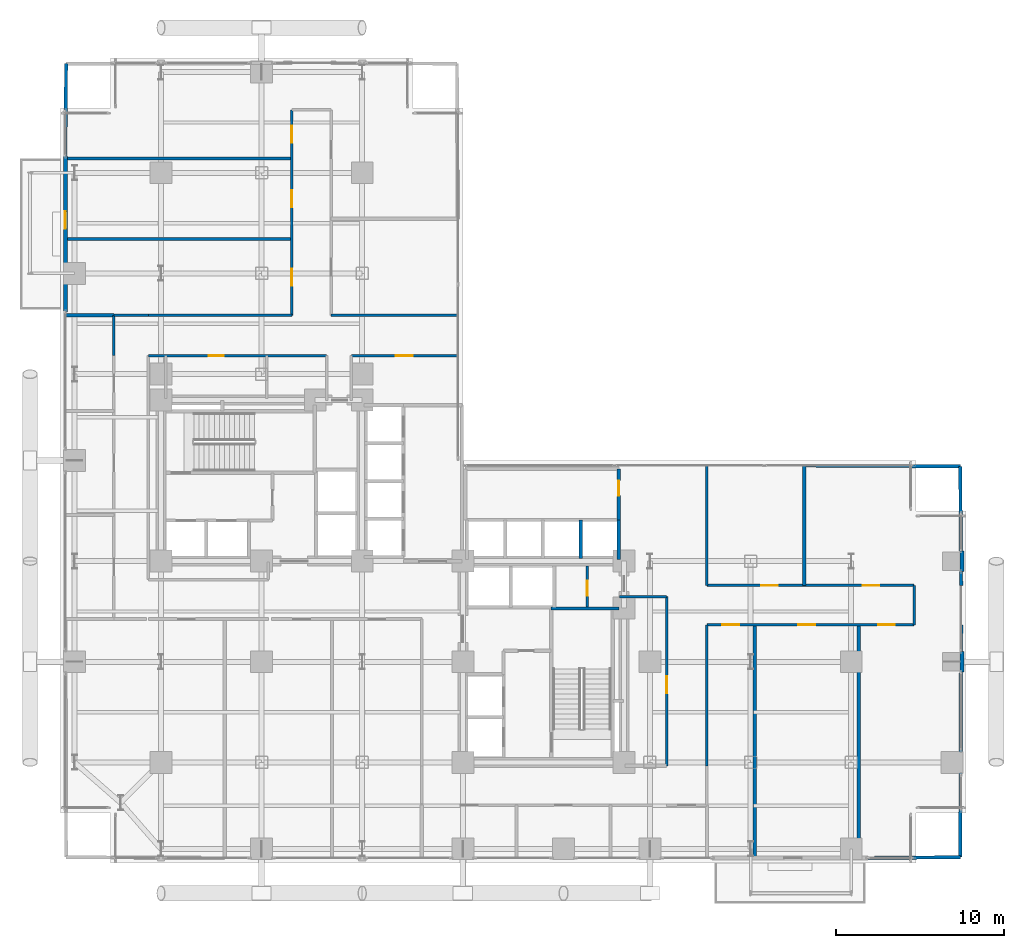
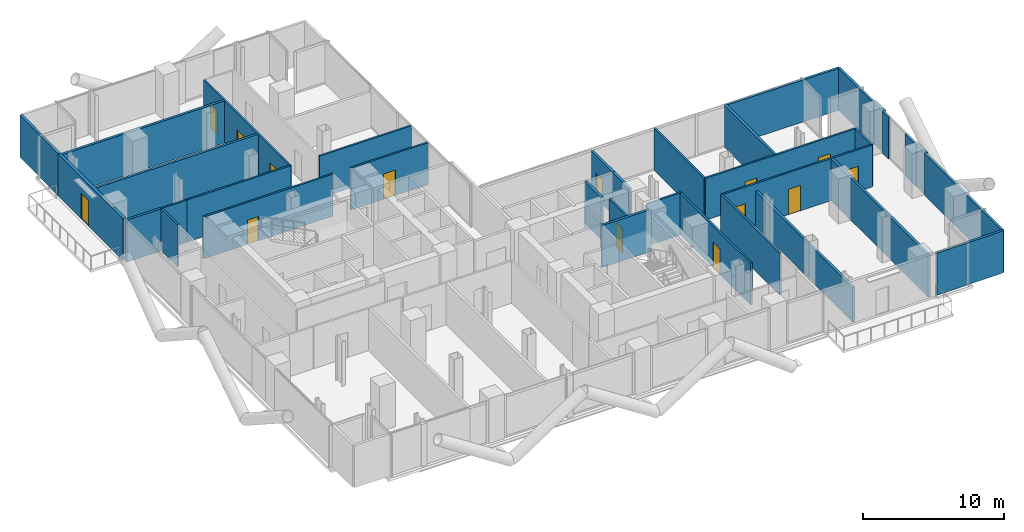
# One storey, part 23 of 27: 35 walls, 14 doors, 14 openings.
"""IFC4 building model written with IfcOpenShell, lengths in metres."""

import ifcopenshell
import ifcopenshell.guid

model = None  # the IFC model being written
_history = None  # IfcOwnerHistory: only IFC2X3 demands one
_inside = {}  # id of a spatial element -> (the spatial element, [elements in it])
_under = {}  # id of a project, library or spatial element -> (it, [spatial elements below it])
_declared = {}  # id of a project -> (the project, [libraries it declares])
_typed = {}  # id of a type object -> (the type object, [elements of that type])
_made_of = {}  # id of a material, layer set ... -> (it, [elements and type objects made of it])


def new_model(schema):
    """Start an empty IFC model of exactly this schema.

    Asked for "IFC4X3", IfcOpenShell would pick the latest addendum, in which some entities
    have other attributes; the version numbers below select the first issue.
    IFC2X3 requires an IfcOwnerHistory on every rooted entity: one is made here for all.
    """
    global model, _history
    if schema == "IFC4X3":
        model = ifcopenshell.file(schema_version=(4, 3, 0, 0))
    else:
        model = ifcopenshell.file(schema=schema)
    _inside.clear()
    _under.clear()
    _declared.clear()
    _typed.clear()
    _made_of.clear()
    _history = None
    if model.schema == "IFC2X3":
        org = make("IfcOrganization", Name="unknown")
        user = make(
            "IfcPersonAndOrganization",
            ThePerson=make("IfcPerson", FamilyName="unknown"),
            TheOrganization=org,
        )
        app = make(
            "IfcApplication",
            ApplicationDeveloper=org,
            Version="unknown",
            ApplicationFullName="unknown",
            ApplicationIdentifier="unknown",
        )
        _history = make(
            "IfcOwnerHistory",
            OwningUser=user,
            OwningApplication=app,
            ChangeAction="ADDED",
            CreationDate=0,
        )
    return model


def make(cls, **values):
    """One entity of the class cls with the attributes given. An attribute that is None is left unset."""
    return model.create_entity(
        cls, **{name: value for name, value in values.items() if value is not None}
    )


def rooted(cls, **values):
    """An entity with a GlobalId (a new one), such as an element, a storey or a relation."""
    return make(cls, GlobalId=ifcopenshell.guid.new(), OwnerHistory=_history, **values)


def si_unit(unit_type, name, prefix=None):
    """IfcSIUnit, for example si_unit("LENGTHUNIT", "METRE", prefix="MILLI")."""
    return make("IfcSIUnit", UnitType=unit_type, Prefix=prefix, Name=name)


def assignment(units):
    """IfcUnitAssignment: the units of a project."""
    return None if units is None else make("IfcUnitAssignment", Units=units)


def point(xyz):
    """IfcCartesianPoint."""
    return None if xyz is None else make("IfcCartesianPoint", Coordinates=xyz)


def direction(xyz):
    """IfcDirection."""
    return None if xyz is None else make("IfcDirection", DirectionRatios=xyz)


def frame(location, z_axis=None, x_axis=None):
    """IfcAxis2Placement3D, a coordinate frame: its origin and axes. An axis left out is left unset."""
    return make(
        "IfcAxis2Placement3D",
        Location=point(location),
        Axis=direction(z_axis),
        RefDirection=direction(x_axis),
    )


def frame_2d(location, x_axis=None):
    """IfcAxis2Placement2D, a coordinate frame in the plane: its origin and x axis."""
    return make(
        "IfcAxis2Placement2D", Location=point(location), RefDirection=direction(x_axis)
    )


def origin():
    """The frame at (0, 0, 0) with its axes left unset."""
    return frame((0.0, 0.0, 0.0))


def place(relative_to, where):
    """IfcLocalPlacement: puts the frame where relative to a parent placement (None: the world)."""
    return make(
        "IfcLocalPlacement", PlacementRelTo=relative_to, RelativePlacement=where
    )


def context(
    kind, dimensions, precision=None, world=None, true_north=None, identifier=None
):
    """IfcGeometricRepresentationContext, for example the 3D "Model" context."""
    return make(
        "IfcGeometricRepresentationContext",
        ContextIdentifier=identifier,
        ContextType=kind,
        CoordinateSpaceDimension=dimensions,
        Precision=precision,
        WorldCoordinateSystem=world,
        TrueNorth=true_north,
    )


def subcontext(parent, identifier, kind, view, scale=None):
    """IfcGeometricRepresentationSubContext, for example "Body" below "Model"."""
    return make(
        "IfcGeometricRepresentationSubContext",
        ContextIdentifier=identifier,
        ContextType=kind,
        ParentContext=parent,
        TargetScale=scale,
        TargetView=view,
    )


def project(units=None, contexts=None):
    """IfcProject with its units and contexts."""
    return rooted(
        "IfcProject",
        Name="project",
        RepresentationContexts=contexts,
        UnitsInContext=assignment(units),
    )


def spatial(cls, under=None, at=None, **own):
    """A site, building, storey or space (cls), placed at a placement, below another one or the project."""
    s = rooted(cls, ObjectPlacement=at, **own)
    if under is not None:
        _under.setdefault(under.id(), (under, []))[1].append(s)
    return s


def profile(cls, at=None, kind="AREA", **sizes):
    """A parametric profile (cls). Its sizes go by their IFC names, for example OverallWidth=200.0."""
    return make(cls, ProfileType=kind, Position=at, **sizes)


def rectangle(**sizes):
    """IfcRectangleProfileDef."""
    return profile("IfcRectangleProfileDef", **sizes)


def extrude(swept, where, along, depth):
    """IfcExtrudedAreaSolid: the profile swept, set in the frame where, extruded along a direction by depth."""
    return make(
        "IfcExtrudedAreaSolid",
        SweptArea=swept,
        Position=where,
        ExtrudedDirection=direction(along),
        Depth=depth,
    )


def shape(context_of_items, identifier, shape_type, items):
    """IfcShapeRepresentation: the items that make up one representation, for example the "Body"."""
    return make(
        "IfcShapeRepresentation",
        ContextOfItems=context_of_items,
        RepresentationIdentifier=identifier,
        RepresentationType=shape_type,
        Items=items,
    )


def material(Name=None, Category=None):
    """IfcMaterial."""
    return make("IfcMaterial", Name=Name, Category=Category)


def layer(
    of_material, thickness, ventilated=None, Name=None, Category=None, Priority=None
):
    """IfcMaterialLayer: one layer of a wall or slab, of a material (None: an air gap)."""
    return make(
        "IfcMaterialLayer",
        Material=of_material,
        LayerThickness=thickness,
        IsVentilated=ventilated,
        Name=Name,
        Category=Category,
        Priority=Priority,
    )


def layer_set(layers, Name=None):
    """IfcMaterialLayerSet."""
    return make("IfcMaterialLayerSet", MaterialLayers=layers, LayerSetName=Name)


def made_of(thing, what):
    """Note that an element or type object is made of a material, layer set ...; save() writes the relation."""
    if what is not None:
        _made_of.setdefault(what.id(), (what, []))[1].append(thing)
    return thing


def type_object(cls, material=None, **own):
    """A type object (cls), such as IfcWallType, which elements share."""
    return made_of(rooted(cls, **own), material)


def element(
    cls,
    number,
    at=None,
    inside=None,
    cuts=None,
    type_object=None,
    material=None,
    context=None,
    identifier="Body",
    shape_type=None,
    held_by="IfcProductDefinitionShape",
    body=None,
    shapes=None,
    **own,
):
    """One element of the class cls, such as IfcWall. Its Tag is "e" and its number.

    at: its placement. inside: the storey or other place that contains it. cuts: it is an
    opening in that element (IfcRelVoidsElement). A single representation is given by context,
    identifier, shape_type and body (its items); several are given by shapes. held_by: the class
    of the entity that holds the representations. save() writes the other relations.
    """
    e = rooted(cls, Tag="e%d" % number, ObjectPlacement=at, **own)
    if body is not None:
        shapes = [shape(context, identifier, shape_type, body)]
    if shapes is not None:
        e.Representation = make(held_by, Representations=shapes)
    if inside is not None:
        _inside.setdefault(inside.id(), (inside, []))[1].append(e)
    if cuts is not None:
        rooted(
            "IfcRelVoidsElement", RelatingBuildingElement=cuts, RelatedOpeningElement=e
        )
    if type_object is not None:
        _typed.setdefault(type_object.id(), (type_object, []))[1].append(e)
    return made_of(e, material)


def fill(opening, filler):
    """IfcRelFillsElement: the door or window that sits in an opening."""
    return rooted(
        "IfcRelFillsElement",
        RelatingOpeningElement=opening,
        RelatedBuildingElement=filler,
    )


def aggregate(whole, parts):
    """IfcRelAggregates: a whole, such as a stair, and the parts it consists of."""
    return rooted("IfcRelAggregates", RelatingObject=whole, RelatedObjects=parts)


def save(model, path):
    """Write the relations noted so far, then the file.

    IfcRelAggregates (storeys below a building ...), IfcRelContainedInSpatialStructure (elements
    in a storey), IfcRelDefinesByType, IfcRelAssociatesMaterial and IfcRelDeclares: one each for
    every whole, place, type object, material and project.
    """
    for whole, parts in _under.values():
        aggregate(whole, parts)
    for where, things in _inside.values():
        rooted(
            "IfcRelContainedInSpatialStructure",
            RelatedElements=things,
            RelatingStructure=where,
        )
    for kind, things in _typed.values():
        rooted("IfcRelDefinesByType", RelatedObjects=things, RelatingType=kind)
    for what, things in _made_of.values():
        rooted("IfcRelAssociatesMaterial", RelatedObjects=things, RelatingMaterial=what)
    for by, libraries in _declared.values():
        rooted("IfcRelDeclares", RelatingContext=by, RelatedDefinitions=libraries)
    model.write(path)


model = new_model("IFC4")

# Units and contexts
model_context = context("Model", 3, precision=1e-05, world=origin(), true_north=direction((0.0, 1.0)))
body_context = subcontext(model_context, "Body", "Model", "MODEL_VIEW")
ifc_project = project(units=[si_unit("LENGTHUNIT", "METRE"), si_unit("AREAUNIT", "SQUARE_METRE"), si_unit("VOLUMEUNIT", "CUBIC_METRE"), si_unit("PLANEANGLEUNIT", "RADIAN"), si_unit("MASSUNIT", "GRAM", prefix="KILO"), si_unit("THERMODYNAMICTEMPERATUREUNIT", "KELVIN"), si_unit("POWERUNIT", "WATT")], contexts=[model_context])

# Site, building, storey
site_placement = place(None, origin())
site = spatial("IfcSite", under=ifc_project, at=site_placement, CompositionType="ELEMENT")
building_placement = place(site_placement, origin())
building = spatial("IfcBuilding", under=site, at=building_placement, Name="Svarakhadi Broadcast Tower", CompositionType="ELEMENT")
storey_placement = place(building_placement, frame((0.0, 0.0, 75.300048828125)))
storey = spatial("IfcBuildingStorey", under=building, at=storey_placement, Name="L17", CompositionType="ELEMENT", Elevation=75.300048828125)

# Walls
ifc_material_1 = material(Name="Double-Stud Acoustic Studio Partition STC-62", Category="gypsum")
ifc_layer_1 = layer(ifc_material_1, 0.199951171875)
ifc_layer_set_1 = layer_set([ifc_layer_1], Name="Double-Stud Acoustic Studio Partition STC-62")
wall_type_1 = type_object("IfcWallType", Name="Wall_Acoust_200", PredefinedType="PARTITIONING", material=ifc_layer_set_1)
wall_1_placement = place(storey_placement, frame((41.39990234375, 0.300048828125, 0.0), z_axis=(0.0, 0.0, 1.0), x_axis=(0.0, 1.0, 0.0)))
element("IfcWall", 1, at=wall_1_placement, inside=storey, type_object=wall_type_1, Name="L17 Harbour Terrace Espresso Bistro Wall", PredefinedType="PARTITIONING", context=body_context, shape_type="SweptSolid", body=[
    extrude(rectangle(XDim=13.89990234375, YDim=0.199951171875, at=frame_2d((6.949951171875, 0.0))), origin(), (0.0, 0.0, 1.0), 2.991943359375),
])
wall_2_placement = place(storey_placement, frame((47.60009765625, 0.300048828125, 0.0), z_axis=(0.0, 0.0, 1.0), x_axis=(0.0, 1.0, 0.0)))
element("IfcWall", 2, at=wall_2_placement, inside=storey, type_object=wall_type_1, Name="L17 Crew Recreation Lounge Wall", PredefinedType="PARTITIONING", context=body_context, shape_type="SweptSolid", body=[
    extrude(rectangle(XDim=13.89990234375, YDim=0.199951171875, at=frame_2d((6.949951171875, 0.0))), origin(), (0.0, 0.0, 1.0), 3.64990234375),
])
wall_3_placement = place(storey_placement, frame((48.14501953125, 0.304443359375, 0.0), z_axis=(0.0, 0.0, 1.0), x_axis=(0.999965611379, 0.008293133286, 0.0)))
element("IfcWall", 3, at=wall_3_placement, inside=storey, type_object=wall_type_1, Name="L17 Staff Fitness Stretching Room Wall", PredefinedType="PARTITIONING", context=body_context, shape_type="SweptSolid", body=[
    extrude(rectangle(XDim=5.505126953125, YDim=0.199951171875, at=frame_2d((2.75244140625, 0.0))), origin(), (0.0, 0.0, 1.0), 3.64990234375),
])
wall_4_placement = place(storey_placement, frame((53.64990234375, 0.35009765625, 0.0), z_axis=(0.0, 0.0, 1.0), x_axis=(0.003606251025, 0.999993497456, 0.0)))
element("IfcWall", 4, at=wall_4_placement, inside=storey, type_object=wall_type_1, Name="L17 Staff Fitness Stretching Room Wall", PredefinedType="PARTITIONING", context=body_context, shape_type="SweptSolid", body=[
    extrude(rectangle(XDim=11.034912109375, YDim=0.199951171875, at=frame_2d((5.517578125, 0.0))), origin(), (0.0, 0.0, 1.0), 3.64990234375),
])
wall_5_placement = place(storey_placement, frame((53.6943359375, 12.614990234375, 0.0), z_axis=(0.0, 0.0, 1.0), x_axis=(0.003542799701, 0.999993724265, 0.0)))
element("IfcWall", 5, at=wall_5_placement, inside=storey, type_object=wall_type_1, Name="L17 Staff Fitness Stretching Room Wall", PredefinedType="PARTITIONING", context=body_context, shape_type="SweptSolid", body=[
    extrude(rectangle(XDim=1.5849609375, YDim=0.199951171875, at=frame_2d((0.79248046875, 0.0))), origin(), (0.0, 0.0, 1.0), 3.64990234375),
])
wall_6_placement = place(storey_placement, frame((44.35009765625, 16.550048828125, 0.0), z_axis=(0.0, 0.0, 1.0), x_axis=(0.0, 1.0, 0.0)))
element("IfcWall", 6, at=wall_6_placement, inside=storey, type_object=wall_type_1, Name="L17 Broadcast Acoustic Booth Wall", PredefinedType="PARTITIONING", context=body_context, shape_type="SweptSolid", body=[
    extrude(rectangle(XDim=7.14990234375, YDim=0.199951171875, at=frame_2d((3.574951171875, 0.0))), origin(), (0.0, 0.0, 1.0), 3.64990234375),
])
wall_7_placement = place(storey_placement, frame((44.35009765625, 23.699951171875, 0.0), z_axis=(0.0, 0.0, 1.0), x_axis=(0.999985518927, -0.005381629512, 0.0)))
element("IfcWall", 7, at=wall_7_placement, inside=storey, type_object=wall_type_1, Name="L17 Broadcast Equipment Operations Room Wall", PredefinedType="PARTITIONING", context=body_context, shape_type="SweptSolid", body=[
    extrude(rectangle(XDim=9.300048828125, YDim=0.199951171875, at=frame_2d((4.64990234375, 0.0))), origin(), (0.0, 0.0, 1.0), 3.64990234375),
])
wall_8_placement = place(storey_placement, frame((53.699951171875, 16.550048828125, 0.0), z_axis=(0.0, 0.0, 1.0), x_axis=(-0.007017371073, 0.999975377948, 0.0)))
element("IfcWall", 8, at=wall_8_placement, inside=storey, type_object=wall_type_1, Name="L17 Broadcast Equipment Operations Room Wall", PredefinedType="PARTITIONING", context=body_context, shape_type="SweptSolid", body=[
    extrude(rectangle(XDim=0.8349609375, YDim=0.199951171875, at=frame_2d((0.41748046875, 0.0))), origin(), (0.0, 0.0, 1.0), 3.64990234375),
])
wall_9_placement = place(storey_placement, frame((53.685546875, 18.614990234375, 0.0), z_axis=(0.0, 0.0, 1.0), x_axis=(-0.007079296972, 0.999974941463, 0.0)))
element("IfcWall", 9, at=wall_9_placement, inside=storey, type_object=wall_type_1, Name="L17 Broadcast Equipment Operations Room Wall", PredefinedType="PARTITIONING", context=body_context, shape_type="SweptSolid", body=[
    extrude(rectangle(XDim=5.03515625, YDim=0.199951171875, at=frame_2d((2.517578125, 0.0))), origin(), (0.0, 0.0, 1.0), 3.64990234375),
])
for number, where, z_axis, x_axis, name in (
    (10, (0.300048828125, 37.199951171875, 0.0), (0.0, 0.0, 1.0), (1.0, 0.0, 0.0), "L17 Occupational Health Wellness Room Wall"),
    (11, (0.300048828125, 42.0, 0.0), (0.0, 0.0, 1.0), (1.0, 0.0, 0.0), "L17 Night-Shift Quiet Rest Lounge Wall"),
):
    element("IfcWall", number, at=place(storey_placement, frame(where, z_axis=z_axis, x_axis=x_axis)), inside=storey, type_object=wall_type_1, Name=name, PredefinedType="PARTITIONING", context=body_context, shape_type="SweptSolid", body=[
        extrude(rectangle(XDim=13.5, YDim=0.199951171875, at=frame_2d((6.75, 0.0))), origin(), (0.0, 0.0, 1.0), 3.64990234375),
    ])
wall_10_placement = place(storey_placement, frame((0.30126953125, 42.14501953125, 0.0), z_axis=(0.0, 0.0, 1.0), x_axis=(0.008869617387, 0.99996066417, 0.0)))
element("IfcWall", 12, at=wall_10_placement, inside=storey, type_object=wall_type_1, Name="L17 Crew Locker Store Wall", PredefinedType="PARTITIONING", context=body_context, shape_type="SweptSolid", body=[
    extrude(rectangle(XDim=5.505126953125, YDim=0.199951171875, at=frame_2d((2.75244140625, 0.0))), origin(), (0.0, 0.0, 1.0), 3.64990234375),
])
wall_11_placement = place(storey_placement, frame((0.300048828125, 32.64990234375, 0.0), z_axis=(0.0, 0.0, 1.0), x_axis=(1.0, 0.0, 0.0)))
element("IfcWall", 13, at=wall_11_placement, inside=storey, type_object=wall_type_1, Name="L17 Producer Quiet Lounge Wall", PredefinedType="PARTITIONING", context=body_context, shape_type="SweptSolid", body=[
    extrude(rectangle(XDim=2.89990234375, YDim=0.199951171875, at=frame_2d((1.449951171875, 0.0))), origin(), (0.0, 0.0, 1.0), 3.64990234375),
])

# Wall, opening, door
ifc_material_2 = material(Name="Concrete C40/50 (IS 456 M50)", Category="concrete")
ifc_layer_2 = layer(ifc_material_2, 0.239990234375)
ifc_layer_set_2 = layer_set([ifc_layer_2], Name="Concrete C40/50 (IS 456 M50)")
wall_type_2 = type_object("IfcWallType", Name="Wall_Ext_240", PredefinedType="SOLIDWALL", material=ifc_layer_set_2)
wall_12_placement = place(storey_placement, frame((0.300048828125, 32.85498046875, 0.0), z_axis=(0.0, 0.0, 1.0), x_axis=(0.0, 1.0, 0.0)))
wall_12 = element("IfcWall", 14, at=wall_12_placement, inside=storey, type_object=wall_type_2, Name="L17 West Tree Balcony Spandrel Wall", PredefinedType="SOLIDWALL", context=body_context, shape_type="SweptSolid", body=[
    extrude(rectangle(XDim=9.2900390625, YDim=0.239990234375, at=frame_2d((4.64501953125, 0.0))), origin(), (0.0, 0.0, 1.0), 3.64990234375),
])
opening_1_placement = place(wall_12_placement, frame((4.949951171875, 0.0, 0.0)))
opening_1 = element("IfcOpeningElement", 15, at=opening_1_placement, cuts=wall_12, Name="Opening ED-06", PredefinedType="OPENING", context=body_context, shape_type="SweptSolid", body=[
    extrude(rectangle(XDim=1.050048828125, YDim=2.199951171875, at=frame_2d((0.52490234375, 1.10009765625))), frame((0.0, 0.1298828125, 0.0), z_axis=(0.0, -1.0, 0.0), x_axis=(1.0, 0.0, 0.0)), (0.0, 0.0, 1.0), 0.260009765625),
])
ifc_material_3 = material(Name="Anodised Bronze Aluminium AA 6063-T6", Category="aluminium")
door_type_1 = type_object("IfcDoorType", Name="Door_Ext_ED06", OperationType="SINGLE_SWING_RIGHT", PredefinedType="DOOR", material=ifc_material_3)
door_1_placement = place(opening_1_placement, origin())
door_1 = element("IfcDoor", 16, at=door_1_placement, inside=storey, type_object=door_type_1, Name="L17 West Tree Balcony Door", OperationType="SINGLE_SWING_RIGHT", OverallHeight=2.199951171875, OverallWidth=1.050048828125, PredefinedType="DOOR", context=body_context, shape_type="SweptSolid", body=[
    extrude(rectangle(XDim=1.050048828125, YDim=2.199951171875, at=frame_2d((0.52490234375, 1.10009765625))), frame((0.0, 0.02490234375, 0.0), z_axis=(0.0, -1.0, 0.0), x_axis=(1.0, 0.0, 0.0)), (0.0, 0.0, 1.0), 0.050048828125),
])
fill(opening_1, door_1)

# Walls
for number, where, z_axis, x_axis, name in (
    (17, (53.760009765625, 18.614990234375, 0.0), (0.0, 0.0, 1.0), (0.0, -1.0, 0.0), "L17 Perimeter Bronze Spandrel Closure Wall 03"),
    (18, (53.760009765625, 12.614990234375, 0.0), (0.0, 0.0, 1.0), (0.0, -1.0, 0.0), "L17 Perimeter Bronze Spandrel Closure Wall 04"),
):
    element("IfcWall", number, at=place(storey_placement, frame(where, z_axis=z_axis, x_axis=x_axis)), inside=storey, type_object=wall_type_2, Name=name, PredefinedType="SOLIDWALL", context=body_context, shape_type="SweptSolid", body=[
        extrude(rectangle(XDim=1.22998046875, YDim=0.239990234375, at=frame_2d((0.614990234375, 0.0))), origin(), (0.0, 0.0, 1.0), 3.64990234375),
    ])

# Wall, opening, door
ifc_material_4 = material(Name="Autoclaved Aerated Concrete Blockwork 150 mm", Category="masonry")
ifc_layer_3 = layer(ifc_material_4, 0.14990234375)
ifc_layer_set_3 = layer_set([ifc_layer_3], Name="Autoclaved Aerated Concrete Blockwork 150 mm")
wall_type_3 = type_object("IfcWallType", Name="Wall_Part_150", PredefinedType="PARTITIONING", material=ifc_layer_set_3)
wall_13_placement = place(storey_placement, frame((31.419921875, 15.280029296875, 0.0), z_axis=(0.0, 0.0, 1.0), x_axis=(0.0, 1.0, 0.0)))
wall_13 = element("IfcWall", 19, at=wall_13_placement, inside=storey, type_object=wall_type_3, Name="L17 Core Service Split Wall", PredefinedType="PARTITIONING", context=body_context, shape_type="SweptSolid", body=[
    extrude(rectangle(XDim=2.419921875, YDim=0.14990234375, at=frame_2d((1.2099609375, 0.0))), origin(), (0.0, 0.0, 1.0), 3.64990234375),
])
opening_2_placement = place(wall_13_placement, frame((0.64990234375, 0.0, 0.0)))
opening_2 = element("IfcOpeningElement", 20, at=opening_2_placement, cuts=wall_13, Name="Opening D-03", PredefinedType="OPENING", context=body_context, shape_type="SweptSolid", body=[
    extrude(rectangle(XDim=0.89990234375, YDim=2.14990234375, at=frame_2d((0.449951171875, 1.074951171875))), frame((0.0, 0.0849609375, 0.0), z_axis=(0.0, -1.0, 0.0), x_axis=(1.0, 0.0, 0.0)), (0.0, 0.0, 1.0), 0.169921875),
])
ifc_material_5 = material(Name="Galvanised Powder-Coated Fire-Rated Steel Leaf", Category="steel")
door_type_2 = type_object("IfcDoorType", Name="Door_Fire_D03", OperationType="SINGLE_SWING_LEFT", PredefinedType="DOOR", material=ifc_material_5)
door_2_placement = place(opening_2_placement, origin())
door_2 = element("IfcDoor", 21, at=door_2_placement, inside=storey, type_object=door_type_2, Name="L17 Core Inner Riser Store Door", OperationType="SINGLE_SWING_LEFT", OverallHeight=2.14990234375, OverallWidth=0.89990234375, PredefinedType="DOOR", context=body_context, shape_type="SweptSolid", body=[
    extrude(rectangle(XDim=0.89990234375, YDim=2.14990234375, at=frame_2d((0.449951171875, 1.074951171875))), frame((0.0, 0.02490234375, 0.0), z_axis=(0.0, -1.0, 0.0), x_axis=(1.0, 0.0, 0.0)), (0.0, 0.0, 1.0), 0.050048828125),
])
fill(opening_2, door_2)

wall_14_placement = place(storey_placement, frame((36.14990234375, 5.800048828125, 0.0), z_axis=(0.0, 0.0, 1.0), x_axis=(0.0, 1.0, 0.0)))
wall_14 = element("IfcWall", 22, at=wall_14_placement, inside=storey, type_object=wall_type_3, Name="L17 Broadcast Corridor Wall", PredefinedType="PARTITIONING", context=body_context, shape_type="SweptSolid", body=[
    extrude(rectangle(XDim=10.079833984375, YDim=0.14990234375, at=frame_2d((5.0400390625, 0.0))), origin(), (0.0, 0.0, 1.0), 3.64990234375),
])
opening_3_placement = place(wall_14_placement, frame((4.330078125, 0.0, 0.0)))
opening_3 = element("IfcOpeningElement", 23, at=opening_3_placement, cuts=wall_14, Name="Opening D-08", PredefinedType="OPENING", context=body_context, shape_type="SweptSolid", body=[
    extrude(rectangle(XDim=1.0, YDim=2.199951171875, at=frame_2d((0.5, 1.10009765625))), frame((0.0, 0.0849609375, 0.0), z_axis=(0.0, -1.0, 0.0), x_axis=(1.0, 0.0, 0.0)), (0.0, 0.0, 1.0), 0.169921875),
])
ifc_material_6 = material(Name="Solid-Core Teak Veneer Acoustic Timber Leaf", Category="wood")
door_type_3 = type_object("IfcDoorType", Name="Door_Suite_D08", OperationType="SINGLE_SWING_LEFT", PredefinedType="DOOR", material=ifc_material_6)
door_3_placement = place(opening_3_placement, origin())
door_3 = element("IfcDoor", 24, at=door_3_placement, inside=storey, type_object=door_type_3, Name="L17 Live Feed Monitoring Studio Door", OperationType="SINGLE_SWING_LEFT", OverallHeight=2.199951171875, OverallWidth=1.0, PredefinedType="DOOR", context=body_context, shape_type="SweptSolid", body=[
    extrude(rectangle(XDim=1.0, YDim=2.199951171875, at=frame_2d((0.5, 1.10009765625))), frame((0.0, 0.02490234375, 0.0), z_axis=(0.0, -1.0, 0.0), x_axis=(1.0, 0.0, 0.0)), (0.0, 0.0, 1.0), 0.050048828125),
])
fill(opening_3, door_3)

# Walls
wall_15_placement = place(storey_placement, frame((36.14990234375, 15.8798828125, 0.0), z_axis=(0.0, 0.0, 1.0), x_axis=(-1.0, 0.0, 0.0)))
element("IfcWall", 25, at=wall_15_placement, inside=storey, type_object=wall_type_3, Name="L17 Broadcast Corridor Wall", PredefinedType="PARTITIONING", context=body_context, shape_type="SweptSolid", body=[
    extrude(rectangle(XDim=2.809814453125, YDim=0.14990234375, at=frame_2d((1.40478515625, 0.0))), origin(), (0.0, 0.0, 1.0), 3.64990234375),
])
wall_16_placement = place(storey_placement, frame((38.550048828125, 23.699951171875, 0.0), z_axis=(0.0, 0.0, 1.0), x_axis=(0.0, -1.0, 0.0)))
element("IfcWall", 26, at=wall_16_placement, inside=storey, type_object=wall_type_3, Name="L17 Broadcast Corridor Wall", PredefinedType="PARTITIONING", context=body_context, shape_type="SweptSolid", body=[
    extrude(rectangle(XDim=7.14990234375, YDim=0.14990234375, at=frame_2d((3.574951171875, 0.0))), origin(), (0.0, 0.0, 1.0), 3.64990234375),
])

# Wall, openings, doors
wall_17_placement = place(storey_placement, frame((38.550048828125, 16.550048828125, 0.0), z_axis=(0.0, 0.0, 1.0), x_axis=(1.0, 0.0, 0.0)))
wall_17 = element("IfcWall", 27, at=wall_17_placement, inside=storey, type_object=wall_type_3, Name="L17 Broadcast Corridor Wall", PredefinedType="PARTITIONING", context=body_context, shape_type="SweptSolid", body=[
    extrude(rectangle(XDim=12.349853515625, YDim=0.14990234375, at=frame_2d((6.1748046875, 0.0))), origin(), (0.0, 0.0, 1.0), 3.64990234375),
])
opening_4_placement = place(wall_17_placement, frame((3.22998046875, 0.0, 0.0)))
opening_4 = element("IfcOpeningElement", 28, at=opening_4_placement, cuts=wall_17, Name="Opening D-09", PredefinedType="OPENING", context=body_context, shape_type="SweptSolid", body=[
    extrude(rectangle(XDim=1.0, YDim=2.199951171875, at=frame_2d((0.5, 1.10009765625))), frame((0.0, 0.0849609375, 0.0), z_axis=(0.0, -1.0, 0.0), x_axis=(1.0, 0.0, 0.0)), (0.0, 0.0, 1.0), 0.169921875),
])
opening_5_placement = place(wall_17_placement, frame((9.280029296875, 0.0, 0.0)))
opening_5 = element("IfcOpeningElement", 29, at=opening_5_placement, cuts=wall_17, Name="Opening D-09", PredefinedType="OPENING", context=body_context, shape_type="SweptSolid", body=[
    extrude(rectangle(XDim=1.0, YDim=2.199951171875, at=frame_2d((0.5, 1.10009765625))), frame((0.0, 0.0849609375, 0.0), z_axis=(0.0, -1.0, 0.0), x_axis=(1.0, 0.0, 0.0)), (0.0, 0.0, 1.0), 0.169921875),
])
door_type_4 = type_object("IfcDoorType", Name="Door_Suite_D09", OperationType="SINGLE_SWING_RIGHT", PredefinedType="DOOR", material=ifc_material_6)
door_4_placement = place(opening_4_placement, origin())
door_4 = element("IfcDoor", 30, at=door_4_placement, inside=storey, type_object=door_type_4, Name="L17 Broadcast Acoustic Booth Door", OperationType="SINGLE_SWING_RIGHT", OverallHeight=2.199951171875, OverallWidth=1.0, PredefinedType="DOOR", context=body_context, shape_type="SweptSolid", body=[
    extrude(rectangle(XDim=1.0, YDim=2.199951171875, at=frame_2d((0.5, 1.10009765625))), frame((0.0, 0.02490234375, 0.0), z_axis=(0.0, -1.0, 0.0), x_axis=(1.0, 0.0, 0.0)), (0.0, 0.0, 1.0), 0.050048828125),
])
fill(opening_4, door_4)
door_5_placement = place(opening_5_placement, origin())
door_5 = element("IfcDoor", 31, at=door_5_placement, inside=storey, type_object=door_type_4, Name="L17 Broadcast Equipment Operations Room Door", OperationType="SINGLE_SWING_RIGHT", OverallHeight=2.199951171875, OverallWidth=1.0, PredefinedType="DOOR", context=body_context, shape_type="SweptSolid", body=[
    extrude(rectangle(XDim=1.0, YDim=2.199951171875, at=frame_2d((0.5, 1.10009765625))), frame((0.0, 0.02490234375, 0.0), z_axis=(0.0, -1.0, 0.0), x_axis=(1.0, 0.0, 0.0)), (0.0, 0.0, 1.0), 0.050048828125),
])
fill(opening_5, door_5)

# Wall
wall_18_placement = place(storey_placement, frame((50.89990234375, 16.550048828125, 0.0), z_axis=(0.0, 0.0, 1.0), x_axis=(0.0, -1.0, 0.0)))
element("IfcWall", 32, at=wall_18_placement, inside=storey, type_object=wall_type_3, Name="L17 Broadcast Corridor Wall", PredefinedType="PARTITIONING", context=body_context, shape_type="SweptSolid", body=[
    extrude(rectangle(XDim=2.35009765625, YDim=0.14990234375, at=frame_2d((1.175048828125, 0.0))), origin(), (0.0, 0.0, 1.0), 3.64990234375),
])

# Wall, openings, doors
wall_19_placement = place(storey_placement, frame((50.89990234375, 14.199951171875, 0.0), z_axis=(0.0, 0.0, 1.0), x_axis=(-1.0, 0.0, 0.0)))
wall_19 = element("IfcWall", 33, at=wall_19_placement, inside=storey, type_object=wall_type_3, Name="L17 Broadcast Corridor Wall", PredefinedType="PARTITIONING", context=body_context, shape_type="SweptSolid", body=[
    extrude(rectangle(XDim=12.349853515625, YDim=0.14990234375, at=frame_2d((6.1748046875, 0.0))), origin(), (0.0, 0.0, 1.0), 3.64990234375),
])
opening_6_placement = place(wall_19_placement, frame((10.425048828125, 0.0, 0.0)))
opening_6 = element("IfcOpeningElement", 34, at=opening_6_placement, cuts=wall_19, Name="Opening D-08", PredefinedType="OPENING", context=body_context, shape_type="SweptSolid", body=[
    extrude(rectangle(XDim=1.0, YDim=2.199951171875, at=frame_2d((0.5, 1.10009765625))), frame((0.0, 0.0849609375, 0.0), z_axis=(0.0, -1.0, 0.0), x_axis=(1.0, 0.0, 0.0)), (0.0, 0.0, 1.0), 0.169921875),
])
opening_7_placement = place(wall_19_placement, frame((5.89990234375, 0.0, 0.0)))
opening_7 = element("IfcOpeningElement", 35, at=opening_7_placement, cuts=wall_19, Name="Opening D-09", PredefinedType="OPENING", context=body_context, shape_type="SweptSolid", body=[
    extrude(rectangle(XDim=1.0, YDim=2.199951171875, at=frame_2d((0.5, 1.10009765625))), frame((0.0, 0.0849609375, 0.0), z_axis=(0.0, -1.0, 0.0), x_axis=(1.0, 0.0, 0.0)), (0.0, 0.0, 1.0), 0.169921875),
])
opening_8_placement = place(wall_19_placement, frame((1.14990234375, 0.0, 0.0)))
opening_8 = element("IfcOpeningElement", 36, at=opening_8_placement, cuts=wall_19, Name="Opening D-08", PredefinedType="OPENING", context=body_context, shape_type="SweptSolid", body=[
    extrude(rectangle(XDim=1.0, YDim=2.199951171875, at=frame_2d((0.5, 1.10009765625))), frame((0.0, 0.0849609375, 0.0), z_axis=(0.0, -1.0, 0.0), x_axis=(1.0, 0.0, 0.0)), (0.0, 0.0, 1.0), 0.169921875),
])
door_6_placement = place(opening_6_placement, origin())
door_6 = element("IfcDoor", 37, at=door_6_placement, inside=storey, type_object=door_type_3, Name="L17 Harbour Terrace Espresso Bistro Door", OperationType="SINGLE_SWING_LEFT", OverallHeight=2.199951171875, OverallWidth=1.0, PredefinedType="DOOR", context=body_context, shape_type="SweptSolid", body=[
    extrude(rectangle(XDim=1.0, YDim=2.199951171875, at=frame_2d((0.5, 1.10009765625))), frame((0.0, 0.02490234375, 0.0), z_axis=(0.0, -1.0, 0.0), x_axis=(1.0, 0.0, 0.0)), (0.0, 0.0, 1.0), 0.050048828125),
])
fill(opening_6, door_6)
door_7_placement = place(opening_8_placement, origin())
door_7 = element("IfcDoor", 38, at=door_7_placement, inside=storey, type_object=door_type_3, Name="L17 Staff Fitness Stretching Room Door", OperationType="SINGLE_SWING_LEFT", OverallHeight=2.199951171875, OverallWidth=1.0, PredefinedType="DOOR", context=body_context, shape_type="SweptSolid", body=[
    extrude(rectangle(XDim=1.0, YDim=2.199951171875, at=frame_2d((0.5, 1.10009765625))), frame((0.0, 0.02490234375, 0.0), z_axis=(0.0, -1.0, 0.0), x_axis=(1.0, 0.0, 0.0)), (0.0, 0.0, 1.0), 0.050048828125),
])
fill(opening_8, door_7)
door_8_placement = place(opening_7_placement, origin())
door_8 = element("IfcDoor", 39, at=door_8_placement, inside=storey, type_object=door_type_4, Name="L17 Crew Recreation Lounge Door", OperationType="SINGLE_SWING_RIGHT", OverallHeight=2.199951171875, OverallWidth=1.0, PredefinedType="DOOR", context=body_context, shape_type="SweptSolid", body=[
    extrude(rectangle(XDim=1.0, YDim=2.199951171875, at=frame_2d((0.5, 1.10009765625))), frame((0.0, 0.02490234375, 0.0), z_axis=(0.0, -1.0, 0.0), x_axis=(1.0, 0.0, 0.0)), (0.0, 0.0, 1.0), 0.050048828125),
])
fill(opening_7, door_8)

# Walls
wall_20_placement = place(storey_placement, frame((38.550048828125, 14.199951171875, 0.0), z_axis=(0.0, 0.0, 1.0), x_axis=(0.0, -1.0, 0.0)))
element("IfcWall", 40, at=wall_20_placement, inside=storey, type_object=wall_type_3, Name="L17 Broadcast Corridor Wall", PredefinedType="PARTITIONING", context=body_context, shape_type="SweptSolid", body=[
    extrude(rectangle(XDim=8.39990234375, YDim=0.14990234375, at=frame_2d((4.199951171875, 0.0))), origin(), (0.0, 0.0, 1.0), 3.64990234375),
])
wall_21_placement = place(storey_placement, frame((3.199951171875, 30.25, 0.0), z_axis=(0.0, 0.0, 1.0), x_axis=(0.0, 1.0, 0.0)))
element("IfcWall", 41, at=wall_21_placement, inside=storey, type_object=wall_type_3, Name="L17 Broadcast Corridor Wall", PredefinedType="PARTITIONING", context=body_context, shape_type="SweptSolid", body=[
    extrude(rectangle(XDim=2.39990234375, YDim=0.14990234375, at=frame_2d((1.199951171875, 0.0))), origin(), (0.0, 0.0, 1.0), 3.64990234375),
])
wall_22_placement = place(storey_placement, frame((3.199951171875, 32.64990234375, 0.0), z_axis=(0.0, 0.0, 1.0), x_axis=(1.0, 0.0, 0.0)))
element("IfcWall", 42, at=wall_22_placement, inside=storey, type_object=wall_type_3, Name="L17 Broadcast Corridor Wall", PredefinedType="PARTITIONING", context=body_context, shape_type="SweptSolid", body=[
    extrude(rectangle(XDim=2.050048828125, YDim=0.14990234375, at=frame_2d((1.02490234375, 0.0))), origin(), (0.0, 0.0, 1.0), 3.64990234375),
])
wall_23_placement = place(storey_placement, frame((5.25, 32.64990234375, 0.0), z_axis=(0.0, 0.0, 1.0), x_axis=(1.0, 0.0, 0.0)))
element("IfcWall", 43, at=wall_23_placement, inside=storey, type_object=wall_type_3, Name="L17 Broadcast Corridor Wall", PredefinedType="PARTITIONING", context=body_context, shape_type="SweptSolid", body=[
    extrude(rectangle(XDim=8.550048828125, YDim=0.14990234375, at=frame_2d((4.27490234375, 0.0))), origin(), (0.0, 0.0, 1.0), 3.64990234375),
])

# Wall, openings, doors
wall_24_placement = place(storey_placement, frame((13.800048828125, 32.64990234375, 0.0), z_axis=(0.0, 0.0, 1.0), x_axis=(0.0, 1.0, 0.0)))
wall_24 = element("IfcWall", 44, at=wall_24_placement, inside=storey, type_object=wall_type_3, Name="L17 Broadcast Corridor Wall", PredefinedType="PARTITIONING", context=body_context, shape_type="SweptSolid", body=[
    extrude(rectangle(XDim=12.25, YDim=0.14990234375, at=frame_2d((6.125, 0.0))), origin(), (0.0, 0.0, 1.0), 3.64990234375),
])
opening_9_placement = place(wall_24_placement, frame((1.77490234375, 0.0, 0.0)))
opening_9 = element("IfcOpeningElement", 45, at=opening_9_placement, cuts=wall_24, Name="Opening D-08", PredefinedType="OPENING", context=body_context, shape_type="SweptSolid", body=[
    extrude(rectangle(XDim=1.0, YDim=2.199951171875, at=frame_2d((0.5, 1.10009765625))), frame((0.0, 0.0849609375, 0.0), z_axis=(0.0, -1.0, 0.0), x_axis=(1.0, 0.0, 0.0)), (0.0, 0.0, 1.0), 0.169921875),
])
opening_10_placement = place(wall_24_placement, frame((6.449951171875, 0.0, 0.0)))
opening_10 = element("IfcOpeningElement", 46, at=opening_10_placement, cuts=wall_24, Name="Opening D-09", PredefinedType="OPENING", context=body_context, shape_type="SweptSolid", body=[
    extrude(rectangle(XDim=1.0, YDim=2.199951171875, at=frame_2d((0.5, 1.10009765625))), frame((0.0, 0.0849609375, 0.0), z_axis=(0.0, -1.0, 0.0), x_axis=(1.0, 0.0, 0.0)), (0.0, 0.0, 1.0), 0.169921875),
])
opening_11_placement = place(wall_24_placement, frame((10.300048828125, 0.0, 0.0)))
opening_11 = element("IfcOpeningElement", 47, at=opening_11_placement, cuts=wall_24, Name="Opening D-08", PredefinedType="OPENING", context=body_context, shape_type="SweptSolid", body=[
    extrude(rectangle(XDim=1.0, YDim=2.199951171875, at=frame_2d((0.5, 1.10009765625))), frame((0.0, 0.0849609375, 0.0), z_axis=(0.0, -1.0, 0.0), x_axis=(1.0, 0.0, 0.0)), (0.0, 0.0, 1.0), 0.169921875),
])
door_9_placement = place(opening_9_placement, origin())
door_9 = element("IfcDoor", 48, at=door_9_placement, inside=storey, type_object=door_type_3, Name="L17 Occupational Health Wellness Room Door", OperationType="SINGLE_SWING_LEFT", OverallHeight=2.199951171875, OverallWidth=1.0, PredefinedType="DOOR", context=body_context, shape_type="SweptSolid", body=[
    extrude(rectangle(XDim=1.0, YDim=2.199951171875, at=frame_2d((0.5, 1.10009765625))), frame((0.0, 0.02490234375, 0.0), z_axis=(0.0, -1.0, 0.0), x_axis=(1.0, 0.0, 0.0)), (0.0, 0.0, 1.0), 0.050048828125),
])
fill(opening_9, door_9)
door_10_placement = place(opening_11_placement, origin())
door_10 = element("IfcDoor", 49, at=door_10_placement, inside=storey, type_object=door_type_3, Name="L17 Crew Locker Store Door", OperationType="SINGLE_SWING_LEFT", OverallHeight=2.199951171875, OverallWidth=1.0, PredefinedType="DOOR", context=body_context, shape_type="SweptSolid", body=[
    extrude(rectangle(XDim=1.0, YDim=2.199951171875, at=frame_2d((0.5, 1.10009765625))), frame((0.0, 0.02490234375, 0.0), z_axis=(0.0, -1.0, 0.0), x_axis=(1.0, 0.0, 0.0)), (0.0, 0.0, 1.0), 0.050048828125),
])
fill(opening_11, door_10)
door_11_placement = place(opening_10_placement, origin())
door_11 = element("IfcDoor", 50, at=door_11_placement, inside=storey, type_object=door_type_4, Name="L17 Night-Shift Quiet Rest Lounge Door", OperationType="SINGLE_SWING_RIGHT", OverallHeight=2.199951171875, OverallWidth=1.0, PredefinedType="DOOR", context=body_context, shape_type="SweptSolid", body=[
    extrude(rectangle(XDim=1.0, YDim=2.199951171875, at=frame_2d((0.5, 1.10009765625))), frame((0.0, 0.02490234375, 0.0), z_axis=(0.0, -1.0, 0.0), x_axis=(1.0, 0.0, 0.0)), (0.0, 0.0, 1.0), 0.050048828125),
])
fill(opening_10, door_11)

# Wall
wall_25_placement = place(storey_placement, frame((16.14990234375, 32.64990234375, 0.0), z_axis=(0.0, 0.0, 1.0), x_axis=(1.0, 0.0, 0.0)))
element("IfcWall", 51, at=wall_25_placement, inside=storey, type_object=wall_type_3, Name="L17 Broadcast Corridor Wall", PredefinedType="PARTITIONING", context=body_context, shape_type="SweptSolid", body=[
    extrude(rectangle(XDim=7.550048828125, YDim=0.14990234375, at=frame_2d((3.77490234375, 0.0))), origin(), (0.0, 0.0, 1.0), 3.64990234375),
])

# Wall, opening, door
wall_26_placement = place(storey_placement, frame((23.699951171875, 30.25, 0.0), z_axis=(0.0, 0.0, 1.0), x_axis=(-1.0, 0.0, 0.0)))
wall_26 = element("IfcWall", 52, at=wall_26_placement, inside=storey, type_object=wall_type_3, Name="L17 Broadcast Corridor Wall", PredefinedType="PARTITIONING", context=body_context, shape_type="SweptSolid", body=[
    extrude(rectangle(XDim=6.349853515625, YDim=0.14990234375, at=frame_2d((3.1748046875, 0.0))), origin(), (0.0, 0.0, 1.0), 3.64990234375),
])
opening_12_placement = place(wall_26_placement, frame((2.699951171875, 0.0, 0.0)))
opening_12 = element("IfcOpeningElement", 53, at=opening_12_placement, cuts=wall_26, Name="Opening D-09", PredefinedType="OPENING", context=body_context, shape_type="SweptSolid", body=[
    extrude(rectangle(XDim=1.0, YDim=2.199951171875, at=frame_2d((0.5, 1.10009765625))), frame((0.0, 0.0849609375, 0.0), z_axis=(0.0, -1.0, 0.0), x_axis=(1.0, 0.0, 0.0)), (0.0, 0.0, 1.0), 0.169921875),
])
door_12_placement = place(opening_12_placement, origin())
door_12 = element("IfcDoor", 54, at=door_12_placement, inside=storey, type_object=door_type_4, Name="L17 Production Continuity Office Door", OperationType="SINGLE_SWING_RIGHT", OverallHeight=2.199951171875, OverallWidth=1.0, PredefinedType="DOOR", context=body_context, shape_type="SweptSolid", body=[
    extrude(rectangle(XDim=1.0, YDim=2.199951171875, at=frame_2d((0.5, 1.10009765625))), frame((0.0, 0.02490234375, 0.0), z_axis=(0.0, -1.0, 0.0), x_axis=(1.0, 0.0, 0.0)), (0.0, 0.0, 1.0), 0.050048828125),
])
fill(opening_12, door_12)

wall_27_placement = place(storey_placement, frame((15.8798828125, 30.25, 0.0), z_axis=(0.0, 0.0, 1.0), x_axis=(-1.0, 0.0, 0.0)))
wall_27 = element("IfcWall", 55, at=wall_27_placement, inside=storey, type_object=wall_type_3, Name="L17 Broadcast Corridor Wall", PredefinedType="PARTITIONING", context=body_context, shape_type="SweptSolid", body=[
    extrude(rectangle(XDim=10.6298828125, YDim=0.14990234375, at=frame_2d((5.31494140625, 0.0))), origin(), (0.0, 0.0, 1.0), 3.64990234375),
])
opening_13_placement = place(wall_27_placement, frame((6.1298828125, 0.0, 0.0)))
opening_13 = element("IfcOpeningElement", 56, at=opening_13_placement, cuts=wall_27, Name="Opening D-12", PredefinedType="OPENING", context=body_context, shape_type="SweptSolid", body=[
    extrude(rectangle(XDim=0.89990234375, YDim=2.10009765625, at=frame_2d((0.449951171875, 1.050048828125))), frame((0.0, 0.0849609375, 0.0), z_axis=(0.0, -1.0, 0.0), x_axis=(1.0, 0.0, 0.0)), (0.0, 0.0, 1.0), 0.169921875),
])
door_type_5 = type_object("IfcDoorType", Name="Door_WC_D01", OperationType="SINGLE_SWING_LEFT", PredefinedType="DOOR", material=ifc_material_6)
door_13_placement = place(opening_13_placement, origin())
door_13 = element("IfcDoor", 57, at=door_13_placement, inside=storey, type_object=door_type_5, Name="L17 Accessible Toilet WC Door", OperationType="SINGLE_SWING_LEFT", OverallHeight=2.10009765625, OverallWidth=0.89990234375, PredefinedType="DOOR", context=body_context, shape_type="SweptSolid", body=[
    extrude(rectangle(XDim=0.89990234375, YDim=2.10009765625, at=frame_2d((0.449951171875, 1.050048828125))), frame((0.0, 0.02490234375, 0.0), z_axis=(0.0, -1.0, 0.0), x_axis=(1.0, 0.0, 0.0)), (0.0, 0.0, 1.0), 0.050048828125),
])
fill(opening_13, door_13)

# Walls
ifc_material_7 = material(Name="Concrete C50/60 (IS 456 M60)", Category="concrete")
ifc_layer_4 = layer(ifc_material_7, 0.199951171875)
ifc_layer_set_4 = layer_set([ifc_layer_4], Name="Concrete C50/60 (IS 456 M60)")
wall_type_4 = type_object("IfcWallType", Name="Wall_Shear_200", PredefinedType="SHEAR", material=ifc_layer_set_4)
wall_28_placement = place(storey_placement, frame((29.260009765625, 15.179931640625, 0.0), z_axis=(0.0, 0.0, 1.0), x_axis=(1.0, 0.0, 0.0)))
element("IfcWall", 58, at=wall_28_placement, inside=storey, type_object=wall_type_4, Name="L17 Stair ST-02 North RC Shaft Wall", PredefinedType="SHEAR", context=body_context, shape_type="SweptSolid", body=[
    extrude(rectangle(XDim=4.0400390625, YDim=0.199951171875, at=frame_2d((2.02001953125, 0.0))), origin(), (0.0, 0.0, 1.0), 3.64990234375),
])
wall_29_placement = place(storey_placement, frame((33.300048828125, 18.10009765625, 0.0), z_axis=(0.0, 0.0, 1.0), x_axis=(0.0, 1.0, 0.0)))
element("IfcWall", 59, at=wall_29_placement, inside=storey, type_object=wall_type_4, Name="L17 Bank B East Shaft Wall", PredefinedType="SHEAR", context=body_context, shape_type="SweptSolid", body=[
    extrude(rectangle(XDim=2.349853515625, YDim=0.199951171875, at=frame_2d((1.1748046875, 0.0))), origin(), (0.0, 0.0, 1.0), 3.64990234375),
])
wall_30_placement = place(storey_placement, frame((31.02001953125, 18.14990234375, 0.0), z_axis=(0.0, 0.0, 1.0), x_axis=(0.0, 1.0, 0.0)))
element("IfcWall", 60, at=wall_30_placement, inside=storey, type_object=wall_type_4, Name="L17 Bank B Divider", PredefinedType="SHEAR", context=body_context, shape_type="SweptSolid", body=[
    extrude(rectangle(XDim=2.300048828125, YDim=0.199951171875, at=frame_2d((1.14990234375, 0.0))), origin(), (0.0, 0.0, 1.0), 3.64990234375),
])

# Wall, opening, door
wall_31_placement = place(storey_placement, frame((33.300048828125, 20.449951171875, 0.0), z_axis=(0.0, 0.0, 1.0), x_axis=(0.0, 1.0, 0.0)))
wall_31 = element("IfcWall", 61, at=wall_31_placement, inside=storey, type_object=wall_type_4, Name="L17 Bank B Lift Hall East Wall", PredefinedType="SHEAR", context=body_context, shape_type="SweptSolid", body=[
    extrude(rectangle(XDim=3.050048828125, YDim=0.199951171875, at=frame_2d((1.52490234375, 0.0))), origin(), (0.0, 0.0, 1.0), 3.64990234375),
])
opening_14_placement = place(wall_31_placement, frame((1.449951171875, 0.0, 0.0)))
opening_14 = element("IfcOpeningElement", 62, at=opening_14_placement, cuts=wall_31, Name="Opening D-03", PredefinedType="OPENING", context=body_context, shape_type="SweptSolid", body=[
    extrude(rectangle(XDim=0.89990234375, YDim=2.14990234375, at=frame_2d((0.449951171875, 1.074951171875))), frame((0.0, 0.10986328125, 0.0), z_axis=(0.0, -1.0, 0.0), x_axis=(1.0, 0.0, 0.0)), (0.0, 0.0, 1.0), 0.219970703125),
])
door_14_placement = place(opening_14_placement, origin())
door_14 = element("IfcDoor", 63, at=door_14_placement, inside=storey, type_object=door_type_2, Name="L17 Mid-Rise Lift Hall East Corridor Door", OperationType="SINGLE_SWING_LEFT", OverallHeight=2.14990234375, OverallWidth=0.89990234375, PredefinedType="DOOR", context=body_context, shape_type="SweptSolid", body=[
    extrude(rectangle(XDim=0.89990234375, YDim=2.14990234375, at=frame_2d((0.449951171875, 1.074951171875))), frame((0.0, 0.02490234375, 0.0), z_axis=(0.0, -1.0, 0.0), x_axis=(1.0, 0.0, 0.0)), (0.0, 0.0, 1.0), 0.050048828125),
])
fill(opening_14, door_14)

save(model, "model.ifc")
